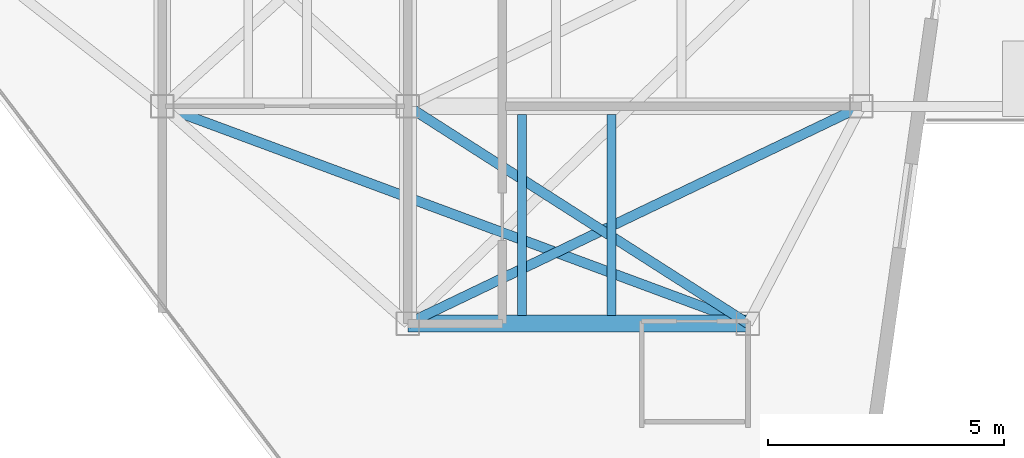
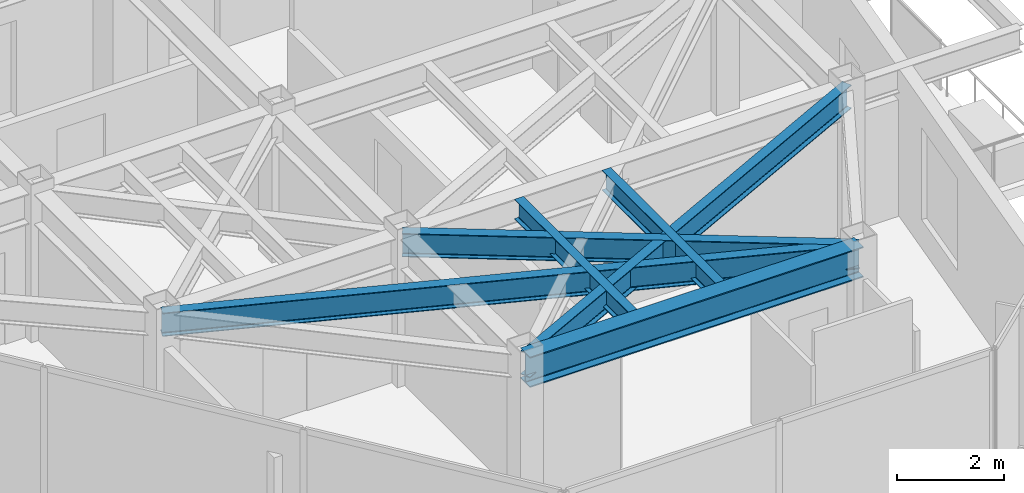
# One storey, part 13 of 20: 6 beams.
"""IFC4 building model written with IfcOpenShell, lengths in metres."""

from ifc_helpers import new_model, si_unit, direction, frame, origin, origin_2d, place, context, subcontext, project, spatial, i_section, extrude, material, material_profile, profile_set, type_object, element, save


model = new_model("IFC4")

# Units and contexts
model_context = context("Model", 3, precision=1e-05, world=origin(), true_north=direction((0.0, 1.0)))
body_context = subcontext(model_context, "Body", "Model", "MODEL_VIEW")
ifc_project = project(units=[si_unit("LENGTHUNIT", "METRE"), si_unit("AREAUNIT", "SQUARE_METRE"), si_unit("VOLUMEUNIT", "CUBIC_METRE"), si_unit("PLANEANGLEUNIT", "RADIAN"), si_unit("MASSUNIT", "GRAM", prefix="KILO")], contexts=[model_context])

# Site, building, storey
site_placement = place(None, origin())
site = spatial("IfcSite", under=ifc_project, at=site_placement, CompositionType="ELEMENT")
building_placement = place(site_placement, origin())
building = spatial("IfcBuilding", under=site, at=building_placement, Name="Kravanh Interchange Tower", CompositionType="ELEMENT")
storey_placement = place(building_placement, frame((0.0, 0.0, 252.60009765625)))
storey = spatial("IfcBuildingStorey", under=building, at=storey_placement, Name="L61", CompositionType="ELEMENT", Elevation=252.60009765625)

# Beams
ifc_material_1 = material(Name="Structural Steel S355", Category="steel")
ifc_material_profile_1 = material_profile(ifc_material_1, i_section(OverallWidth=0.35498046875, OverallDepth=0.696044921875, WebThickness=0.015380859375, FlangeThickness=0.02490234375, FilletRadius=0.02392578125, at=origin_2d()), Name="W27X146")
ifc_profile_set_1 = profile_set([ifc_material_profile_1], Name="Structural Steel S355")
beam_type_1 = type_object("IfcBeamType", Name="Floor Beam W27X146 Structural Steel S355", PredefinedType="BEAM", material=ifc_profile_set_1)
beam_1_placement = place(storey_placement, frame((56.0, 22.199951171875, 3.011962890625), z_axis=(1.0, 0.0, 0.0), x_axis=(0.0, 1.0, 0.0)))
element("IfcBeam", 1, at=beam_1_placement, inside=storey, type_object=beam_type_1, Name="L61 Primary Floor Girder 39", PredefinedType="BEAM", context=body_context, shape_type="SweptSolid", body=[
    extrude(i_section(OverallWidth=0.35498046875, OverallDepth=0.696044921875, WebThickness=0.015380859375, FlangeThickness=0.02490234375, FilletRadius=0.02392578125, at=origin_2d()), origin(), (0.0, 0.0, 1.0), 7.199951171875),
])
ifc_material_2 = material(Name="Structural Steel S355", Category="steel")
ifc_material_profile_2 = material_profile(ifc_material_2, i_section(OverallWidth=0.18994140625, OverallDepth=0.45703125, WebThickness=0.009033203125, FlangeThickness=0.014404296875, FilletRadius=0.01806640625, at=origin_2d()), Name="W18X50")
ifc_profile_set_2 = profile_set([ifc_material_profile_2], Name="Structural Steel S355")
beam_type_2 = type_object("IfcBeamType", Name="Floor Joist W18X50 Structural Steel S355", PredefinedType="JOIST", material=ifc_profile_set_2)
for number, where, z_axis, x_axis, name in (
    (2, (58.419921875, 22.37255859375, 3.13134765625), (0.0, 1.0, 0.0), (-1.0, 0.0, 0.0), "L61 Secondary Floor Joist 1"),
    (3, (60.30810546875, 22.37255859375, 3.13134765625), (0.0, 1.0, 0.0), (-1.0, 0.0, 0.0), "L61 Secondary Floor Joist 2"),
):
    element("IfcBeam", number, at=place(storey_placement, frame(where, z_axis=z_axis, x_axis=x_axis)), inside=storey, type_object=beam_type_2, Name=name, PredefinedType="JOIST", context=body_context, shape_type="SweptSolid", body=[
        extrude(i_section(OverallWidth=0.18994140625, OverallDepth=0.45703125, WebThickness=0.009033203125, FlangeThickness=0.014404296875, FilletRadius=0.01806640625, at=origin_2d()), origin(), (0.0, 0.0, 1.0), 4.2548828125),
    ])
ifc_material_3 = material(Name="Structural Steel S355", Category="steel")
ifc_material_profile_3 = material_profile(ifc_material_3, i_section(OverallWidth=0.2099609375, OverallDepth=0.537109375, WebThickness=0.010986328125, FlangeThickness=0.017333984375, FilletRadius=0.02001953125, at=origin_2d()), Name="W21X68")
ifc_profile_set_3 = profile_set([ifc_material_profile_3], Name="Structural Steel S355")
beam_type_3 = type_object("IfcBeamType", Name="Floor Spandrel W21X68 Structural Steel S355", PredefinedType="SPANDREL", material=ifc_profile_set_3)
beam_2_placement = place(storey_placement, frame((50.800048828125, 26.800048828125, 3.09130859375), z_axis=(0.937562917338, -0.347815721372, 0.0), x_axis=(0.347815721372, 0.937562917338, 0.0)))
element("IfcBeam", 4, at=beam_2_placement, inside=storey, type_object=beam_type_3, Name="L61 Perimeter Spandrel 33", PredefinedType="SPANDREL", context=body_context, shape_type="SweptSolid", body=[
    extrude(i_section(OverallWidth=0.2099609375, OverallDepth=0.537109375, WebThickness=0.010986328125, FlangeThickness=0.017333984375, FilletRadius=0.02001953125, at=origin_2d()), origin(), (0.0, 0.0, 1.0), 13.2255859375),
])
beam_3_placement = place(storey_placement, frame((56.0, 26.800048828125, 3.09130859375), z_axis=(0.842689417531, -0.53839998661, 0.0), x_axis=(0.53839998661, 0.842689417531, 0.0)))
element("IfcBeam", 5, at=beam_3_placement, inside=storey, type_object=beam_type_3, Name="L61 Perimeter Spandrel 35", PredefinedType="SPANDREL", context=body_context, shape_type="SweptSolid", body=[
    extrude(i_section(OverallWidth=0.2099609375, OverallDepth=0.537109375, WebThickness=0.010986328125, FlangeThickness=0.017333984375, FilletRadius=0.02001953125, at=origin_2d()), origin(), (0.0, 0.0, 1.0), 8.5439453125),
])
beam_4_placement = place(storey_placement, frame((65.60009765625, 26.800048828125, 3.09130859375), z_axis=(-0.901814166789, -0.432124066188, 0.0), x_axis=(0.432124066188, -0.901814166789, 0.0)))
element("IfcBeam", 6, at=beam_4_placement, inside=storey, type_object=beam_type_3, Name="L61 Perimeter Spandrel 38", PredefinedType="SPANDREL", context=body_context, shape_type="SweptSolid", body=[
    extrude(i_section(OverallWidth=0.2099609375, OverallDepth=0.537109375, WebThickness=0.010986328125, FlangeThickness=0.017333984375, FilletRadius=0.02001953125, at=origin_2d()), origin(), (0.0, 0.0, 1.0), 10.645263671875),
])

save(model, "model.ifc")
